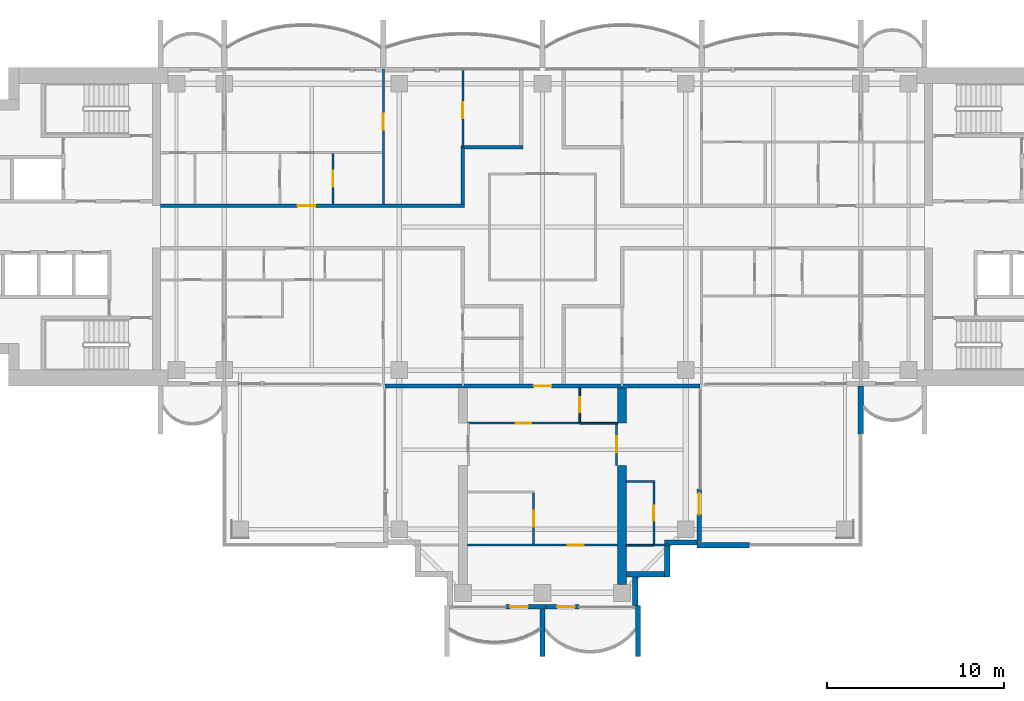
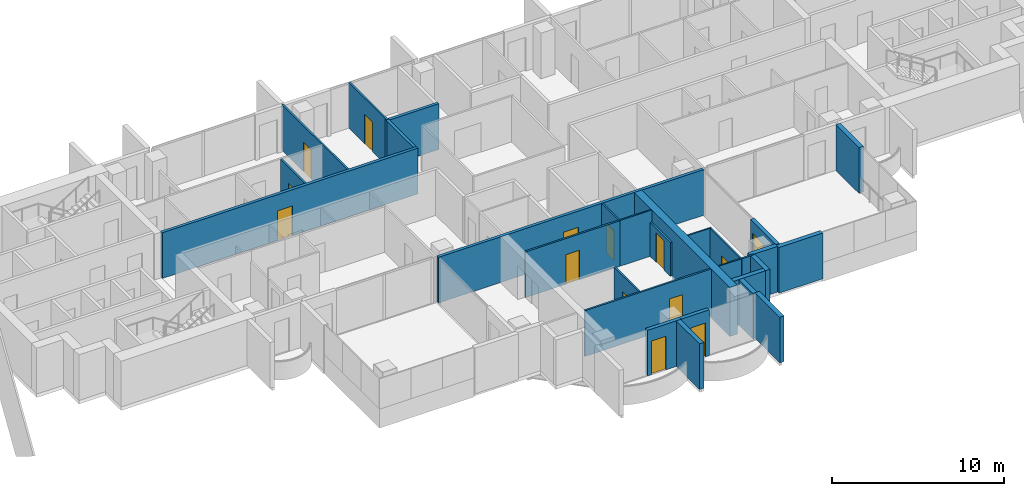
# One storey, part 10 of 17: 29 walls, 14 doors, 14 openings.
"""IFC4 building model written with IfcOpenShell, lengths in metres."""

from ifc_helpers import new_model, si_unit, direction, frame, frame_2d, origin, place, context, subcontext, project, spatial, polyline, rectangle, outline, extrude, material, layer, layer_set, material_profile, profile_set, type_object, element, fill, save


model = new_model("IFC4")

# Units and contexts
model_context = context("Model", 3, precision=1e-05, world=origin(), true_north=direction((0.0, 1.0)))
body_context = subcontext(model_context, "Body", "Model", "MODEL_VIEW")
ifc_project = project(units=[si_unit("LENGTHUNIT", "METRE"), si_unit("AREAUNIT", "SQUARE_METRE"), si_unit("VOLUMEUNIT", "CUBIC_METRE"), si_unit("PLANEANGLEUNIT", "RADIAN"), si_unit("MASSUNIT", "GRAM", prefix="KILO")], contexts=[model_context])

# Site, building, storey
site_placement = place(None, origin())
site = spatial("IfcSite", under=ifc_project, at=site_placement, CompositionType="ELEMENT")
building_placement = place(site_placement, origin())
building = spatial("IfcBuilding", under=site, at=building_placement, Name="Perihelion Cross Residences", CompositionType="ELEMENT")
storey_placement = place(building_placement, frame((0.0, 0.0, 205.10009765625)))
storey = spatial("IfcBuildingStorey", under=building, at=storey_placement, Name="L51", CompositionType="ELEMENT", Elevation=205.10009765625)

# Wall, opening, door
ifc_material_1 = material(Name="Plasterboard partition")
ifc_layer_1 = layer(ifc_material_1, 0.199951171875)
ifc_layer_set_1 = layer_set([ifc_layer_1], Name="Apartment separation wall 200")
wall_type_1 = type_object("IfcWallType", Name="Apartment separation wall 200", PredefinedType="PARTITIONING", material=ifc_layer_set_1)
wall_1_placement = place(storey_placement, frame((-21.60009765625, 1.199951171875, 0.0), z_axis=(0.0, 0.0, 1.0), x_axis=(1.0, 0.0, 0.0)))
wall_1 = element("IfcWall", 1, at=wall_1_placement, inside=storey, type_object=wall_type_1, Name="Partition L51 W013", PredefinedType="PARTITIONING", context=body_context, shape_type="SweptSolid", body=[
    extrude(rectangle(XDim=17.2001953125, YDim=0.199951171875, at=frame_2d((8.60009765625, 0.0))), origin(), (0.0, 0.0, 1.0), 3.25),
])
opening_1_placement = place(wall_1_placement, frame((7.75, 0.0, 0.0)))
opening_1 = element("IfcOpeningElement", 2, at=opening_1_placement, cuts=wall_1, Name="Opening L51.A40", PredefinedType="OPENING", context=body_context, shape_type="SweptSolid", body=[
    extrude(rectangle(XDim=1.0, YDim=2.10009765625, at=frame_2d((0.5, 1.050048828125))), frame((0.0, 0.10986328125, 0.0), z_axis=(0.0, -1.0, 0.0), x_axis=(1.0, 0.0, 0.0)), (0.0, 0.0, 1.0), 0.219970703125),
])
ifc_material_2 = material(Name="Timber door leaf", Category="wood")
door_type_1 = type_object("IfcDoorType", Name="Flat entrance door 1000 x 2100", OperationType="SINGLE_SWING_LEFT", PredefinedType="DOOR", material=ifc_material_2)
door_1_placement = place(opening_1_placement, origin())
door_1 = element("IfcDoor", 3, at=door_1_placement, inside=storey, type_object=door_type_1, Name="Door L51.A40", OperationType="SINGLE_SWING_RIGHT", OverallHeight=2.10009765625, OverallWidth=1.0, PredefinedType="DOOR", context=body_context, shape_type="SweptSolid", body=[
    extrude(rectangle(XDim=1.0, YDim=2.10009765625, at=frame_2d((0.5, 1.050048828125))), frame((0.0, 0.02490234375, 0.0), z_axis=(0.0, -1.0, 0.0), x_axis=(1.0, 0.0, 0.0)), (0.0, 0.0, 1.0), 0.050048828125),
])
fill(opening_1, door_1)

# Walls
wall_2_placement = place(storey_placement, frame((-4.5, 1.300048828125, 0.0), z_axis=(0.0, 0.0, 1.0), x_axis=(0.0, 1.0, 0.0)))
element("IfcWall", 4, at=wall_2_placement, inside=storey, type_object=wall_type_1, Name="Partition L51 W014", PredefinedType="PARTITIONING", context=body_context, shape_type="SweptSolid", body=[
    extrude(rectangle(XDim=3.199951171875, YDim=0.199951171875, at=frame_2d((1.60009765625, 0.0))), origin(), (0.0, 0.0, 1.0), 3.25),
])
wall_3_placement = place(storey_placement, frame((-4.60009765625, 4.5, 0.0), z_axis=(0.0, 0.0, 1.0), x_axis=(1.0, 0.0, 0.0)))
element("IfcWall", 5, at=wall_3_placement, inside=storey, type_object=wall_type_1, Name="Partition L51 W015", PredefinedType="PARTITIONING", context=body_context, shape_type="SweptSolid", body=[
    extrude(rectangle(XDim=3.5, YDim=0.199951171875, at=frame_2d((1.75, 0.0))), origin(), (0.0, 0.0, 1.0), 3.25),
])

# Wall, opening, door
wall_4_placement = place(storey_placement, frame((8.919921875, -9.0, 0.0), z_axis=(0.0, 0.0, 1.0), x_axis=(-1.0, 0.0, 0.0)))
wall_4 = element("IfcWall", 6, at=wall_4_placement, inside=storey, type_object=wall_type_1, Name="Partition L51 W021", PredefinedType="PARTITIONING", context=body_context, shape_type="SweptSolid", body=[
    extrude(rectangle(XDim=17.83984375, YDim=0.199951171875, at=frame_2d((8.919921875, 0.0))), origin(), (0.0, 0.0, 1.0), 3.25),
])
opening_2_placement = place(wall_4_placement, frame((8.419921875, 0.0, 0.0)))
opening_2 = element("IfcOpeningElement", 7, at=opening_2_placement, cuts=wall_4, Name="Opening L51.A32", PredefinedType="OPENING", context=body_context, shape_type="SweptSolid", body=[
    extrude(rectangle(XDim=1.0, YDim=2.10009765625, at=frame_2d((0.5, 1.050048828125))), frame((0.0, 0.10986328125, 0.0), z_axis=(0.0, -1.0, 0.0), x_axis=(1.0, 0.0, 0.0)), (0.0, 0.0, 1.0), 0.219970703125),
])
door_2_placement = place(opening_2_placement, origin())
door_2 = element("IfcDoor", 8, at=door_2_placement, inside=storey, type_object=door_type_1, Name="Door L51.A32", OperationType="SINGLE_SWING_RIGHT", OverallHeight=2.10009765625, OverallWidth=1.0, PredefinedType="DOOR", context=body_context, shape_type="SweptSolid", body=[
    extrude(rectangle(XDim=1.0, YDim=2.10009765625, at=frame_2d((0.5, 1.050048828125))), frame((0.0, 0.02490234375, 0.0), z_axis=(0.0, -1.0, 0.0), x_axis=(1.0, 0.0, 0.0)), (0.0, 0.0, 1.0), 0.050048828125),
])
fill(opening_2, door_2)

ifc_material_3 = material(Name="Concrete C30/37, bronze-clad", Category="concrete")
ifc_layer_2 = layer(ifc_material_3, 0.25)
ifc_layer_set_2 = layer_set([ifc_layer_2], Name="Bronze-clad pier wall 250")
wall_type_2 = type_object("IfcWallType", Name="Bronze-clad pier wall 250", PredefinedType="SOLIDWALL", material=ifc_layer_set_2)
wall_5_placement = place(storey_placement, frame((-2.074951171875, -21.47509765625, 0.0), z_axis=(0.0, 0.0, 1.0), x_axis=(1.0, 0.0, 0.0)))
wall_5 = element("IfcWall", 9, at=wall_5_placement, inside=storey, type_object=wall_type_2, Name="Wall FW1 L51 south tip south bay 1 pier", PredefinedType="SOLIDWALL", context=body_context, shape_type="SweptSolid", body=[
    extrude(rectangle(XDim=2.27490234375, YDim=0.25, at=frame_2d((1.137451171875, 0.0))), origin(), (0.0, 0.0, 1.0), 3.25),
])
opening_3_placement = place(wall_5_placement, frame((0.25, 0.0, 0.0)))
opening_3 = element("IfcOpeningElement", 10, at=opening_3_placement, cuts=wall_5, Name="Opening L51.E10", PredefinedType="OPENING", context=body_context, shape_type="SweptSolid", body=[
    extrude(rectangle(XDim=1.0, YDim=2.39990234375, at=frame_2d((0.5, 1.199951171875))), frame((0.0, 0.135009765625, 0.0), z_axis=(0.0, -1.0, 0.0), x_axis=(1.0, 0.0, 0.0)), (0.0, 0.0, 1.0), 0.27001953125),
])
ifc_material_4 = material(Name="Bronze anodised aluminium, glazed", Category="aluminium")
door_type_2 = type_object("IfcDoorType", Name="Balcony door 1000 x 2400", OperationType="NOTDEFINED", PredefinedType="DOOR", material=ifc_material_4)
door_3_placement = place(opening_3_placement, origin())
door_3 = element("IfcDoor", 11, at=door_3_placement, inside=storey, type_object=door_type_2, Name="Door L51.E10 south tip south bay 1", OperationType="SINGLE_SWING_RIGHT", OverallHeight=2.39990234375, OverallWidth=1.0, PredefinedType="DOOR", context=body_context, shape_type="SweptSolid", body=[
    extrude(rectangle(XDim=1.0, YDim=2.39990234375, at=frame_2d((0.5, 1.199951171875))), frame((0.0, 0.02490234375, 0.0), z_axis=(0.0, -1.0, 0.0), x_axis=(1.0, 0.0, 0.0)), (0.0, 0.0, 1.0), 0.050048828125),
])
fill(opening_3, door_3)

wall_6_placement = place(storey_placement, frame((0.199951171875, -21.47509765625, 0.0), z_axis=(0.0, 0.0, 1.0), x_axis=(1.0, 0.0, 0.0)))
wall_6 = element("IfcWall", 12, at=wall_6_placement, inside=storey, type_object=wall_type_2, Name="Wall FW1 L51 south tip south bay 2 pier", PredefinedType="SOLIDWALL", context=body_context, shape_type="SweptSolid", body=[
    extrude(rectangle(XDim=1.875, YDim=0.25, at=frame_2d((0.9375, 0.0))), origin(), (0.0, 0.0, 1.0), 3.25),
])
opening_4_placement = place(wall_6_placement, frame((0.625, 0.0, 0.0)))
opening_4 = element("IfcOpeningElement", 13, at=opening_4_placement, cuts=wall_6, Name="Opening L51.E11", PredefinedType="OPENING", context=body_context, shape_type="SweptSolid", body=[
    extrude(rectangle(XDim=1.0, YDim=2.39990234375, at=frame_2d((0.5, 1.199951171875))), frame((0.0, 0.135009765625, 0.0), z_axis=(0.0, -1.0, 0.0), x_axis=(1.0, 0.0, 0.0)), (0.0, 0.0, 1.0), 0.27001953125),
])
door_4_placement = place(opening_4_placement, origin())
door_4 = element("IfcDoor", 14, at=door_4_placement, inside=storey, type_object=door_type_2, Name="Door L51.E11 south tip south bay 2", OperationType="SINGLE_SWING_LEFT", OverallHeight=2.39990234375, OverallWidth=1.0, PredefinedType="DOOR", context=body_context, shape_type="SweptSolid", body=[
    extrude(rectangle(XDim=1.0, YDim=2.39990234375, at=frame_2d((0.5, 1.199951171875))), frame((0.0, 0.02490234375, 0.0), z_axis=(0.0, -1.0, 0.0), x_axis=(1.0, 0.0, 0.0)), (0.0, 0.0, 1.0), 0.050048828125),
])
fill(opening_4, door_4)

wall_7_placement = place(storey_placement, frame((8.875, -17.800048828125, 0.0), z_axis=(0.0, 0.0, 1.0), x_axis=(0.0, 1.0, 0.0)))
wall_7 = element("IfcWall", 15, at=wall_7_placement, inside=storey, type_object=wall_type_2, Name="Wall FW1 L51 south side east bay 1 pier", PredefinedType="SOLIDWALL", context=body_context, shape_type="SweptSolid", body=[
    extrude(rectangle(XDim=2.97509765625, YDim=0.25, at=frame_2d((1.487548828125, 0.0))), origin(), (0.0, 0.0, 1.0), 3.25),
])
opening_5_placement = place(wall_7_placement, frame((1.52490234375, 0.0, 0.0)))
opening_5 = element("IfcOpeningElement", 16, at=opening_5_placement, cuts=wall_7, Name="Opening L51.E12", PredefinedType="OPENING", context=body_context, shape_type="SweptSolid", body=[
    extrude(rectangle(XDim=1.199951171875, YDim=2.39990234375, at=frame_2d((0.60009765625, 1.199951171875))), frame((0.0, 0.135009765625, 0.0), z_axis=(0.0, -1.0, 0.0), x_axis=(1.0, 0.0, 0.0)), (0.0, 0.0, 1.0), 0.27001953125),
])
ifc_material_5 = material(Name="Bronze anodised aluminium, glazed", Category="aluminium")
door_type_3 = type_object("IfcDoorType", Name="Balcony door 1200 x 2400", OperationType="NOTDEFINED", PredefinedType="DOOR", material=ifc_material_5)
door_5_placement = place(opening_5_placement, origin())
door_5 = element("IfcDoor", 17, at=door_5_placement, inside=storey, type_object=door_type_3, Name="Door L51.E12 south side east bay 1", OperationType="SINGLE_SWING_RIGHT", OverallHeight=2.39990234375, OverallWidth=1.199951171875, PredefinedType="DOOR", context=body_context, shape_type="SweptSolid", body=[
    extrude(rectangle(XDim=1.199951171875, YDim=2.39990234375, at=frame_2d((0.60009765625, 1.199951171875))), frame((0.0, 0.02490234375, 0.0), z_axis=(0.0, -1.0, 0.0), x_axis=(1.0, 0.0, 0.0)), (0.0, 0.0, 1.0), 0.050048828125),
])
fill(opening_5, door_5)

# Walls
ifc_material_6 = material(Name="Concrete C30/37, bronze-clad", Category="concrete")
ifc_layer_3 = layer(ifc_material_6, 0.300048828125)
ifc_layer_set_3 = layer_set([ifc_layer_3], Name="Bronze-clad serration wall 300")
wall_type_3 = type_object("IfcWallType", Name="Bronze-clad serration wall 300", PredefinedType="SOLIDWALL", material=ifc_layer_set_3)
wall_8_placement = place(storey_placement, frame((5.25, -21.419921875, 0.0), z_axis=(0.0, 0.0, 1.0), x_axis=(0.0, 1.0, 0.0)))
element("IfcWall", 18, at=wall_8_placement, inside=storey, type_object=wall_type_3, Name="Wall SR1 L51 south corner south-east 1", PredefinedType="SOLIDWALL", context=body_context, shape_type="SweptSolid", body=[
    extrude(rectangle(XDim=1.619873046875, YDim=0.300048828125, at=frame_2d((0.81005859375, 0.0))), origin(), (0.0, 0.0, 1.0), 3.25),
])
wall_9_placement = place(storey_placement, frame((4.75, -19.64990234375, 0.0), z_axis=(0.0, 0.0, 1.0), x_axis=(1.0, 0.0, 0.0)))
element("IfcWall", 19, at=wall_9_placement, inside=storey, type_object=wall_type_3, Name="Wall SR1 L51 south corner south-east 2", PredefinedType="SOLIDWALL", context=body_context, shape_type="SweptSolid", body=[
    extrude(rectangle(XDim=2.14990234375, YDim=0.300048828125, at=frame_2d((1.074951171875, 0.0))), origin(), (0.0, 0.0, 1.0), 3.25),
])
wall_10_placement = place(storey_placement, frame((7.050048828125, -19.800048828125, 0.0), z_axis=(0.0, 0.0, 1.0), x_axis=(0.0, 1.0, 0.0)))
element("IfcWall", 20, at=wall_10_placement, inside=storey, type_object=wall_type_3, Name="Wall SR1 L51 south corner south-east 3", PredefinedType="SOLIDWALL", context=body_context, shape_type="SweptSolid", body=[
    extrude(rectangle(XDim=1.800048828125, YDim=0.300048828125, at=frame_2d((0.89990234375, 0.0))), origin(), (0.0, 0.0, 1.0), 3.25),
])
wall_11_placement = place(storey_placement, frame((6.89990234375, -17.85009765625, 0.0), z_axis=(0.0, 0.0, 1.0), x_axis=(1.0, 0.0, 0.0)))
element("IfcWall", 21, at=wall_11_placement, inside=storey, type_object=wall_type_3, Name="Wall SR1 L51 south corner south-east 4", PredefinedType="SOLIDWALL", context=body_context, shape_type="SweptSolid", body=[
    extrude(rectangle(XDim=1.85009765625, YDim=0.300048828125, at=frame_2d((0.925048828125, 0.0))), origin(), (0.0, 0.0, 1.0), 3.25),
])

# Wall, opening, door
ifc_material_7 = material(Name="Plasterboard partition")
ifc_layer_4 = layer(ifc_material_7, 0.1201171875)
ifc_layer_set_4 = layer_set([ifc_layer_4], Name="Infill panel 120")
wall_type_4 = type_object("IfcWallType", Name="Infill panel 120", PredefinedType="PARTITIONING", material=ifc_layer_set_4)
wall_12_placement = place(storey_placement, frame((4.18994140625, -11.10009765625, 0.0), z_axis=(0.0, 0.0, 1.0), x_axis=(0.0, -1.0, 0.0)))
wall_12 = element("IfcWall", 22, at=wall_12_placement, inside=storey, type_object=wall_type_4, Name="Partition L51 WI01", PredefinedType="PARTITIONING", context=body_context, shape_type="SweptSolid", body=[
    extrude(rectangle(XDim=2.39990234375, YDim=0.1201171875, at=frame_2d((1.199951171875, 0.0))), origin(), (0.0, 0.0, 1.0), 2.39990234375),
])
opening_6_placement = place(wall_12_placement, frame((0.75, 0.0, 0.0)))
opening_6 = element("IfcOpeningElement", 23, at=opening_6_placement, cuts=wall_12, Name="Opening L51.A42", PredefinedType="OPENING", context=body_context, shape_type="SweptSolid", body=[
    extrude(rectangle(XDim=0.89990234375, YDim=2.10009765625, at=frame_2d((0.449951171875, 1.050048828125))), frame((0.0, 0.070068359375, 0.0), z_axis=(0.0, -1.0, 0.0), x_axis=(1.0, 0.0, 0.0)), (0.0, 0.0, 1.0), 0.14013671875),
])
ifc_material_8 = material(Name="Timber door leaf", Category="wood")
door_type_4 = type_object("IfcDoorType", Name="Interior room door 900 x 2100", OperationType="SINGLE_SWING_LEFT", PredefinedType="DOOR", material=ifc_material_8)
door_6_placement = place(opening_6_placement, origin())
door_6 = element("IfcDoor", 24, at=door_6_placement, inside=storey, type_object=door_type_4, Name="Door L51.A42", OperationType="SINGLE_SWING_LEFT", OverallHeight=2.10009765625, OverallWidth=0.89990234375, PredefinedType="DOOR", context=body_context, shape_type="SweptSolid", body=[
    extrude(rectangle(XDim=0.89990234375, YDim=2.10009765625, at=frame_2d((0.449951171875, 1.050048828125))), frame((0.0, 0.02490234375, 0.0), z_axis=(0.0, -1.0, 0.0), x_axis=(1.0, 0.0, 0.0)), (0.0, 0.0, 1.0), 0.050048828125),
])
fill(opening_6, door_6)

ifc_material_9 = material(Name="Plasterboard partition")
ifc_layer_5 = layer(ifc_material_9, 0.1201171875)
ifc_layer_set_5 = layer_set([ifc_layer_5], Name="Partition wall 120")
wall_type_5 = type_object("IfcWallType", Name="Partition wall 120", PredefinedType="PARTITIONING", material=ifc_layer_set_5)
wall_13_placement = place(storey_placement, frame((-11.85009765625, 1.300048828125, 0.0), z_axis=(0.0, 0.0, 1.0), x_axis=(0.0, 1.0, 0.0)))
wall_13 = element("IfcWall", 25, at=wall_13_placement, inside=storey, type_object=wall_type_5, Name="Partition L51 W038", PredefinedType="PARTITIONING", context=body_context, shape_type="SweptSolid", body=[
    extrude(rectangle(XDim=2.83984375, YDim=0.1201171875, at=frame_2d((1.419921875, 0.0))), origin(), (0.0, 0.0, 1.0), 3.25),
])
opening_7_placement = place(wall_13_placement, frame((0.969970703125, 0.0, 0.0)))
opening_7 = element("IfcOpeningElement", 26, at=opening_7_placement, cuts=wall_13, Name="Opening L51.A19", PredefinedType="OPENING", context=body_context, shape_type="SweptSolid", body=[
    extrude(rectangle(XDim=0.89990234375, YDim=2.10009765625, at=frame_2d((0.449951171875, 1.050048828125))), frame((0.0, 0.070068359375, 0.0), z_axis=(0.0, -1.0, 0.0), x_axis=(1.0, 0.0, 0.0)), (0.0, 0.0, 1.0), 0.14013671875),
])
door_7_placement = place(opening_7_placement, origin())
door_7 = element("IfcDoor", 27, at=door_7_placement, inside=storey, type_object=door_type_4, Name="Door L51.A19", OperationType="SINGLE_SWING_RIGHT", OverallHeight=2.10009765625, OverallWidth=0.89990234375, PredefinedType="DOOR", context=body_context, shape_type="SweptSolid", body=[
    extrude(rectangle(XDim=0.89990234375, YDim=2.10009765625, at=frame_2d((0.449951171875, 1.050048828125))), frame((0.0, 0.02490234375, 0.0), z_axis=(0.0, -1.0, 0.0), x_axis=(1.0, 0.0, 0.0)), (0.0, 0.0, 1.0), 0.050048828125),
])
fill(opening_7, door_7)

wall_14_placement = place(storey_placement, frame((-9.0, 8.919921875, 0.0), z_axis=(0.0, 0.0, 1.0), x_axis=(0.0, -1.0, 0.0)))
wall_14 = element("IfcWall", 28, at=wall_14_placement, inside=storey, type_object=wall_type_5, Name="Partition L51 W040", PredefinedType="PARTITIONING", context=body_context, shape_type="SweptSolid", body=[
    extrude(rectangle(XDim=7.619873046875, YDim=0.1201171875, at=frame_2d((3.81005859375, 0.0))), origin(), (0.0, 0.0, 1.0), 3.25),
])
opening_8_placement = place(wall_14_placement, frame((2.52001953125, 0.0, 0.0)))
opening_8 = element("IfcOpeningElement", 29, at=opening_8_placement, cuts=wall_14, Name="Opening L51.A22", PredefinedType="OPENING", context=body_context, shape_type="SweptSolid", body=[
    extrude(rectangle(XDim=0.89990234375, YDim=2.10009765625, at=frame_2d((0.449951171875, 1.050048828125))), frame((0.0, 0.070068359375, 0.0), z_axis=(0.0, -1.0, 0.0), x_axis=(1.0, 0.0, 0.0)), (0.0, 0.0, 1.0), 0.14013671875),
])
door_8_placement = place(opening_8_placement, origin())
door_8 = element("IfcDoor", 30, at=door_8_placement, inside=storey, type_object=door_type_4, Name="Door L51.A22", OperationType="SINGLE_SWING_RIGHT", OverallHeight=2.10009765625, OverallWidth=0.89990234375, PredefinedType="DOOR", context=body_context, shape_type="SweptSolid", body=[
    extrude(rectangle(XDim=0.89990234375, YDim=2.10009765625, at=frame_2d((0.449951171875, 1.050048828125))), frame((0.0, 0.02490234375, 0.0), z_axis=(0.0, -1.0, 0.0), x_axis=(1.0, 0.0, 0.0)), (0.0, 0.0, 1.0), 0.050048828125),
])
fill(opening_8, door_8)

wall_15_placement = place(storey_placement, frame((-4.5, 8.919921875, 0.0), z_axis=(0.0, 0.0, 1.0), x_axis=(0.0, -1.0, 0.0)))
wall_15 = element("IfcWall", 31, at=wall_15_placement, inside=storey, type_object=wall_type_5, Name="Partition L51 W045", PredefinedType="PARTITIONING", context=body_context, shape_type="SweptSolid", body=[
    extrude(rectangle(XDim=4.419921875, YDim=0.1201171875, at=frame_2d((2.2099609375, 0.0))), origin(), (0.0, 0.0, 1.0), 3.25),
])
opening_9_placement = place(wall_15_placement, frame((1.8701171875, 0.0, 0.0)))
opening_9 = element("IfcOpeningElement", 32, at=opening_9_placement, cuts=wall_15, Name="Opening L51.A17", PredefinedType="OPENING", context=body_context, shape_type="SweptSolid", body=[
    extrude(rectangle(XDim=0.89990234375, YDim=2.10009765625, at=frame_2d((0.449951171875, 1.050048828125))), frame((0.0, 0.070068359375, 0.0), z_axis=(0.0, -1.0, 0.0), x_axis=(1.0, 0.0, 0.0)), (0.0, 0.0, 1.0), 0.14013671875),
])
door_9_placement = place(opening_9_placement, origin())
door_9 = element("IfcDoor", 33, at=door_9_placement, inside=storey, type_object=door_type_4, Name="Door L51.A17", OperationType="SINGLE_SWING_LEFT", OverallHeight=2.10009765625, OverallWidth=0.89990234375, PredefinedType="DOOR", context=body_context, shape_type="SweptSolid", body=[
    extrude(rectangle(XDim=0.89990234375, YDim=2.10009765625, at=frame_2d((0.449951171875, 1.050048828125))), frame((0.0, 0.02490234375, 0.0), z_axis=(0.0, -1.0, 0.0), x_axis=(1.0, 0.0, 0.0)), (0.0, 0.0, 1.0), 0.050048828125),
])
fill(opening_9, door_9)

wall_16_placement = place(storey_placement, frame((2.10009765625, -11.10009765625, 0.0), z_axis=(0.0, 0.0, 1.0), x_axis=(-1.0, 0.0, 0.0)))
wall_16 = element("IfcWall", 34, at=wall_16_placement, inside=storey, type_object=wall_type_5, Name="Partition L51 W060", PredefinedType="PARTITIONING", context=body_context, shape_type="SweptSolid", body=[
    extrude(rectangle(XDim=6.35009765625, YDim=0.1201171875, at=frame_2d((3.175048828125, 0.0))), origin(), (0.0, 0.0, 1.0), 3.25),
])
opening_10_placement = place(wall_16_placement, frame((2.72509765625, 0.0, 0.0)))
opening_10 = element("IfcOpeningElement", 35, at=opening_10_placement, cuts=wall_16, Name="Opening L51.A34", PredefinedType="OPENING", context=body_context, shape_type="SweptSolid", body=[
    extrude(rectangle(XDim=0.89990234375, YDim=2.10009765625, at=frame_2d((0.449951171875, 1.050048828125))), frame((0.0, 0.070068359375, 0.0), z_axis=(0.0, -1.0, 0.0), x_axis=(1.0, 0.0, 0.0)), (0.0, 0.0, 1.0), 0.14013671875),
])
door_10_placement = place(opening_10_placement, origin())
door_10 = element("IfcDoor", 36, at=door_10_placement, inside=storey, type_object=door_type_4, Name="Door L51.A34", OperationType="SINGLE_SWING_RIGHT", OverallHeight=2.10009765625, OverallWidth=0.89990234375, PredefinedType="DOOR", context=body_context, shape_type="SweptSolid", body=[
    extrude(rectangle(XDim=0.89990234375, YDim=2.10009765625, at=frame_2d((0.449951171875, 1.050048828125))), frame((0.0, 0.02490234375, 0.0), z_axis=(0.0, -1.0, 0.0), x_axis=(1.0, 0.0, 0.0)), (0.0, 0.0, 1.0), 0.050048828125),
])
fill(opening_10, door_10)

wall_17_placement = place(storey_placement, frame((-0.5, -17.93994140625, 0.0), z_axis=(0.0, 0.0, 1.0), x_axis=(0.0, 1.0, 0.0)))
wall_17 = element("IfcWall", 37, at=wall_17_placement, inside=storey, type_object=wall_type_5, Name="Partition L51 W062", PredefinedType="PARTITIONING", context=body_context, shape_type="SweptSolid", body=[
    extrude(rectangle(XDim=2.8798828125, YDim=0.1201171875, at=frame_2d((1.43994140625, 0.0))), origin(), (0.0, 0.0, 1.0), 3.25),
])
opening_11_placement = place(wall_17_placement, frame((0.989990234375, 0.0, 0.0)))
opening_11 = element("IfcOpeningElement", 38, at=opening_11_placement, cuts=wall_17, Name="Opening L51.A35", PredefinedType="OPENING", context=body_context, shape_type="SweptSolid", body=[
    extrude(rectangle(XDim=0.89990234375, YDim=2.10009765625, at=frame_2d((0.449951171875, 1.050048828125))), frame((0.0, 0.070068359375, 0.0), z_axis=(0.0, -1.0, 0.0), x_axis=(1.0, 0.0, 0.0)), (0.0, 0.0, 1.0), 0.14013671875),
])
door_11_placement = place(opening_11_placement, origin())
door_11 = element("IfcDoor", 39, at=door_11_placement, inside=storey, type_object=door_type_4, Name="Door L51.A35", OperationType="SINGLE_SWING_LEFT", OverallHeight=2.10009765625, OverallWidth=0.89990234375, PredefinedType="DOOR", context=body_context, shape_type="SweptSolid", body=[
    extrude(rectangle(XDim=0.89990234375, YDim=2.10009765625, at=frame_2d((0.449951171875, 1.050048828125))), frame((0.0, 0.02490234375, 0.0), z_axis=(0.0, -1.0, 0.0), x_axis=(1.0, 0.0, 0.0)), (0.0, 0.0, 1.0), 0.050048828125),
])
fill(opening_11, door_11)

wall_18_placement = place(storey_placement, frame((4.25, -18.0, 0.0), z_axis=(0.0, 0.0, 1.0), x_axis=(-1.0, 0.0, 0.0)))
wall_18 = element("IfcWall", 40, at=wall_18_placement, inside=storey, type_object=wall_type_5, Name="Partition L51 W064", PredefinedType="PARTITIONING", context=body_context, shape_type="SweptSolid", body=[
    extrude(rectangle(XDim=8.5, YDim=0.1201171875, at=frame_2d((4.25, 0.0))), origin(), (0.0, 0.0, 1.0), 3.25),
])
opening_12_placement = place(wall_18_placement, frame((1.925048828125, 0.0, 0.0)))
opening_12 = element("IfcOpeningElement", 41, at=opening_12_placement, cuts=wall_18, Name="Opening L51.A36", PredefinedType="OPENING", context=body_context, shape_type="SweptSolid", body=[
    extrude(rectangle(XDim=0.89990234375, YDim=2.10009765625, at=frame_2d((0.449951171875, 1.050048828125))), frame((0.0, 0.070068359375, 0.0), z_axis=(0.0, -1.0, 0.0), x_axis=(1.0, 0.0, 0.0)), (0.0, 0.0, 1.0), 0.14013671875),
])
door_12_placement = place(opening_12_placement, origin())
door_12 = element("IfcDoor", 42, at=door_12_placement, inside=storey, type_object=door_type_4, Name="Door L51.A36", OperationType="SINGLE_SWING_LEFT", OverallHeight=2.10009765625, OverallWidth=0.89990234375, PredefinedType="DOOR", context=body_context, shape_type="SweptSolid", body=[
    extrude(rectangle(XDim=0.89990234375, YDim=2.10009765625, at=frame_2d((0.449951171875, 1.050048828125))), frame((0.0, 0.02490234375, 0.0), z_axis=(0.0, -1.0, 0.0), x_axis=(1.0, 0.0, 0.0)), (0.0, 0.0, 1.0), 0.050048828125),
])
fill(opening_12, door_12)

# Walls
wall_19_placement = place(storey_placement, frame((7.1201171875, -18.0, 0.0), z_axis=(0.0, 0.0, 1.0), x_axis=(-1.0, 0.0, 0.0)))
element("IfcWall", 43, at=wall_19_placement, inside=storey, type_object=wall_type_5, Name="Partition L51 W067", PredefinedType="PARTITIONING", context=body_context, shape_type="SweptSolid", body=[
    extrude(rectangle(XDim=0.820068359375, YDim=0.1201171875, at=frame_2d((0.41015625, 0.0))), origin(), (0.0, 0.0, 1.0), 3.25),
])
ifc_material_10 = material(Name="Precast concrete C50/60", Category="concrete")
ifc_layer_6 = layer(ifc_material_10, 0.300048828125)
ifc_layer_set_6 = layer_set([ifc_layer_6], Name="Precast concrete C50/60 blade wall 300")
wall_type_6 = type_object("IfcWallType", Name="Precast concrete C50/60 blade wall 300", PredefinedType="SOLIDWALL", material=ifc_layer_set_6)
wall_20_placement = place(storey_placement, frame((0.0, -21.60009765625, 0.0), z_axis=(0.0, 0.0, 1.0), x_axis=(0.0, -1.0, 0.0)))
element("IfcWall", 44, at=wall_20_placement, inside=storey, type_object=wall_type_6, Name="Wall BL1 L51 no. 8", PredefinedType="SOLIDWALL", context=body_context, shape_type="SweptSolid", body=[
    extrude(rectangle(XDim=2.699951171875, YDim=0.300048828125, at=frame_2d((1.35009765625, 0.0))), origin(), (0.0, 0.0, 1.0), 3.25),
])
wall_21_placement = place(storey_placement, frame((5.39990234375, -21.419921875, 0.0), z_axis=(0.0, 0.0, 1.0), x_axis=(0.0, -1.0, 0.0)))
element("IfcWall", 45, at=wall_21_placement, inside=storey, type_object=wall_type_6, Name="Wall BL1 L51 no. 14", PredefinedType="SOLIDWALL", context=body_context, shape_type="SweptSolid", body=[
    extrude(rectangle(XDim=2.880126953125, YDim=0.300048828125, at=frame_2d((1.43994140625, 0.0))), origin(), (0.0, 0.0, 1.0), 3.25),
])
wall_22_placement = place(storey_placement, frame((8.75, -18.0, 0.0), z_axis=(0.0, 0.0, 1.0), x_axis=(1.0, 0.0, 0.0)))
element("IfcWall", 46, at=wall_22_placement, inside=storey, type_object=wall_type_6, Name="Wall BL1 L51 no. 15", PredefinedType="SOLIDWALL", context=body_context, shape_type="SweptSolid", body=[
    extrude(rectangle(XDim=2.949951171875, YDim=0.300048828125, at=frame_2d((1.47509765625, 0.0))), origin(), (0.0, 0.0, 1.0), 3.25),
])
wall_23_placement = place(storey_placement, frame((18.0, -9.0, 0.0), z_axis=(0.0, 0.0, 1.0), x_axis=(0.0, -1.0, 0.0)))
element("IfcWall", 47, at=wall_23_placement, inside=storey, type_object=wall_type_6, Name="Wall BL1 L51 no. 10", PredefinedType="SOLIDWALL", context=body_context, shape_type="SweptSolid", body=[
    extrude(rectangle(XDim=2.699951171875, YDim=0.300048828125, at=frame_2d((1.35009765625, 0.0))), origin(), (0.0, 0.0, 1.0), 3.25),
])
ifc_material_11 = material(Name="Concrete C60/75", Category="concrete")
ifc_material_profile = material_profile(ifc_material_11, outline(polyline([(0.0, 0.0), (6.72509765625, 0.0), (6.72509765625, 2.64990234375), (9.125, 2.64990234375), (9.125, 0.0), (11.22509765625, 0.0), (11.22509765625, 3.5), (0.0, 3.5), (0.0, 0.0)])), Name="Tip spine wall")
ifc_profile_set = profile_set([ifc_material_profile], Name="Concrete C60/75")
wall_type_7 = type_object("IfcWallType", Name="Tip spine wall 500 with 1 door openings 11225 long 3500 high concrete C60/75", PredefinedType="SHEAR", material=ifc_profile_set)
wall_24_placement = place(storey_placement, frame((4.25, -20.22509765625, -0.25), z_axis=(1.0, 0.0, 0.0), x_axis=(0.0, 1.0, 0.0)))
element("IfcWall", 48, at=wall_24_placement, inside=storey, type_object=wall_type_7, Name="Shear wall SW41 L51 south east", PredefinedType="SHEAR", context=body_context, shape_type="SweptSolid", body=[
    extrude(outline(polyline([(0.0, 0.0), (6.72509765625, 0.0), (6.72509765625, 2.64990234375), (9.125, 2.64990234375), (9.125, 0.0), (11.22509765625, 0.0), (11.22509765625, 3.5), (0.0, 3.5), (0.0, 0.0)])), origin(), (0.0, 0.0, 1.0), 0.5),
])

# Wall, opening, door
ifc_material_12 = material(Name="Plasterboard partition")
ifc_layer_7 = layer(ifc_material_12, 0.10009765625)
ifc_layer_set_7 = layer_set([ifc_layer_7], Name="Wet room wall 100")
wall_type_8 = type_object("IfcWallType", Name="Wet room wall 100", PredefinedType="PARTITIONING", material=ifc_layer_set_7)
wall_25_placement = place(storey_placement, frame((2.10009765625, -9.10009765625, 0.0), z_axis=(0.0, 0.0, 1.0), x_axis=(0.0, -1.0, 0.0)))
wall_25 = element("IfcWall", 49, at=wall_25_placement, inside=storey, type_object=wall_type_8, Name="Partition L51 W059", PredefinedType="PARTITIONING", context=body_context, shape_type="SweptSolid", body=[
    extrude(rectangle(XDim=1.93994140625, YDim=0.10009765625, at=frame_2d((0.969970703125, 0.0))), origin(), (0.0, 0.0, 1.0), 3.25),
])
opening_13_placement = place(wall_25_placement, frame((0.544921875, 0.0, 0.0)))
opening_13 = element("IfcOpeningElement", 50, at=opening_13_placement, cuts=wall_25, Name="Opening L51.A33", PredefinedType="OPENING", context=body_context, shape_type="SweptSolid", body=[
    extrude(rectangle(XDim=0.85009765625, YDim=2.10009765625, at=frame_2d((0.425048828125, 1.050048828125))), frame((0.0, 0.06005859375, 0.0), z_axis=(0.0, -1.0, 0.0), x_axis=(1.0, 0.0, 0.0)), (0.0, 0.0, 1.0), 0.1201171875),
])
ifc_material_13 = material(Name="Timber door leaf", Category="wood")
door_type_5 = type_object("IfcDoorType", Name="Interior bathroom door 850 x 2100", OperationType="SINGLE_SWING_LEFT", PredefinedType="DOOR", material=ifc_material_13)
door_13_placement = place(opening_13_placement, origin())
door_13 = element("IfcDoor", 51, at=door_13_placement, inside=storey, type_object=door_type_5, Name="Door L51.A33", OperationType="SINGLE_SWING_LEFT", OverallHeight=2.10009765625, OverallWidth=0.85009765625, PredefinedType="DOOR", context=body_context, shape_type="SweptSolid", body=[
    extrude(rectangle(XDim=0.85009765625, YDim=2.10009765625, at=frame_2d((0.425048828125, 1.050048828125))), frame((0.0, 0.02490234375, 0.0), z_axis=(0.0, -1.0, 0.0), x_axis=(1.0, 0.0, 0.0)), (0.0, 0.0, 1.0), 0.050048828125),
])
fill(opening_13, door_13)

# Wall
wall_26_placement = place(storey_placement, frame((4.25, -11.10009765625, 0.0), z_axis=(0.0, 0.0, 1.0), x_axis=(-1.0, 0.0, 0.0)))
element("IfcWall", 52, at=wall_26_placement, inside=storey, type_object=wall_type_8, Name="Partition L51 W061", PredefinedType="PARTITIONING", context=body_context, shape_type="SweptSolid", body=[
    extrude(rectangle(XDim=2.14990234375, YDim=0.10009765625, at=frame_2d((1.074951171875, 0.0))), origin(), (0.0, 0.0, 1.0), 3.25),
])

# Wall, opening, door
wall_27_placement = place(storey_placement, frame((6.300048828125, -17.93994140625, 0.0), z_axis=(0.0, 0.0, 1.0), x_axis=(0.0, 1.0, 0.0)))
wall_27 = element("IfcWall", 53, at=wall_27_placement, inside=storey, type_object=wall_type_8, Name="Partition L51 W065", PredefinedType="PARTITIONING", context=body_context, shape_type="SweptSolid", body=[
    extrude(rectangle(XDim=3.489990234375, YDim=0.10009765625, at=frame_2d((1.7451171875, 0.0))), origin(), (0.0, 0.0, 1.0), 3.25),
])
opening_14_placement = place(wall_27_placement, frame((1.320068359375, 0.0, 0.0)))
opening_14 = element("IfcOpeningElement", 54, at=opening_14_placement, cuts=wall_27, Name="Opening L51.A37", PredefinedType="OPENING", context=body_context, shape_type="SweptSolid", body=[
    extrude(rectangle(XDim=0.85009765625, YDim=2.10009765625, at=frame_2d((0.425048828125, 1.050048828125))), frame((0.0, 0.06005859375, 0.0), z_axis=(0.0, -1.0, 0.0), x_axis=(1.0, 0.0, 0.0)), (0.0, 0.0, 1.0), 0.1201171875),
])
door_14_placement = place(opening_14_placement, origin())
door_14 = element("IfcDoor", 55, at=door_14_placement, inside=storey, type_object=door_type_5, Name="Door L51.A37", OperationType="SINGLE_SWING_RIGHT", OverallHeight=2.10009765625, OverallWidth=0.85009765625, PredefinedType="DOOR", context=body_context, shape_type="SweptSolid", body=[
    extrude(rectangle(XDim=0.85009765625, YDim=2.10009765625, at=frame_2d((0.425048828125, 1.050048828125))), frame((0.0, 0.02490234375, 0.0), z_axis=(0.0, -1.0, 0.0), x_axis=(1.0, 0.0, 0.0)), (0.0, 0.0, 1.0), 0.050048828125),
])
fill(opening_14, door_14)

# Walls
wall_28_placement = place(storey_placement, frame((6.35009765625, -14.39990234375, 0.0), z_axis=(0.0, 0.0, 1.0), x_axis=(-1.0, 0.0, 0.0)))
element("IfcWall", 56, at=wall_28_placement, inside=storey, type_object=wall_type_8, Name="Partition L51 W066", PredefinedType="PARTITIONING", context=body_context, shape_type="SweptSolid", body=[
    extrude(rectangle(XDim=1.60009765625, YDim=0.10009765625, at=frame_2d((0.800048828125, 0.0))), origin(), (0.0, 0.0, 1.0), 3.25),
])
wall_29_placement = place(storey_placement, frame((6.300048828125, -18.0, 0.0), z_axis=(0.0, 0.0, 1.0), x_axis=(-1.0, 0.0, 0.0)))
element("IfcWall", 57, at=wall_29_placement, inside=storey, type_object=wall_type_8, Name="Partition L51 W068", PredefinedType="PARTITIONING", context=body_context, shape_type="SweptSolid", body=[
    extrude(rectangle(XDim=1.550048828125, YDim=0.10009765625, at=frame_2d((0.77490234375, 0.0))), origin(), (0.0, 0.0, 1.0), 3.25),
])

save(model, "model.ifc")
